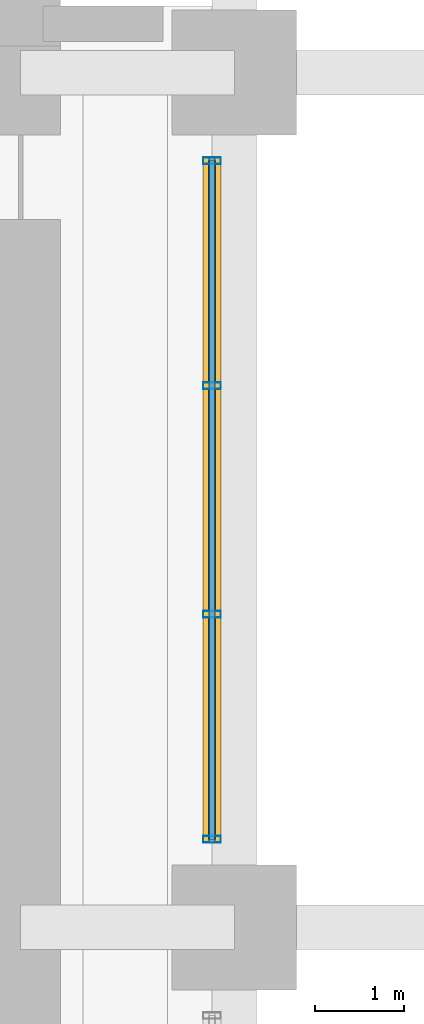
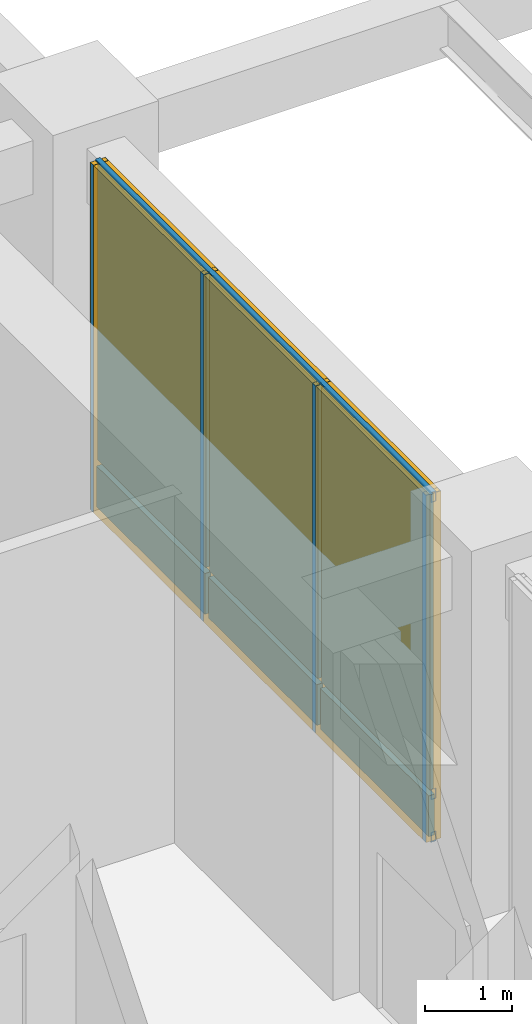
# One storey, part 12 of 22: 7 members, 6 plates, 1 curtain wall.
"""IFC4 building model written with IfcOpenShell, lengths in metres."""

from ifc_helpers import new_model, si_unit, direction, frame, frame_2d, origin, origin_2d, place, context, subcontext, project, spatial, rectangle, hollow_rectangle, extrude, material, layer, layer_set, material_profile, profile_set, type_object, element, aggregate, save


model = new_model("IFC4")

# Units and contexts
model_context = context("Model", 3, precision=1e-05, world=origin(), true_north=direction((0.0, 1.0)))
body_context = subcontext(model_context, "Body", "Model", "MODEL_VIEW")
ifc_project = project(units=[si_unit("LENGTHUNIT", "METRE"), si_unit("AREAUNIT", "SQUARE_METRE"), si_unit("VOLUMEUNIT", "CUBIC_METRE"), si_unit("PLANEANGLEUNIT", "RADIAN"), si_unit("MASSUNIT", "GRAM", prefix="KILO")], contexts=[model_context])

# Member
ifc_material_1 = material(Name="Anodized Aluminium 6063-T6", Category="aluminium")
ifc_material_profile_1 = material_profile(ifc_material_1, hollow_rectangle(XDim=0.074951171875, YDim=0.199951171875, WallThickness=0.00390625, at=origin_2d()), Name="Anodized Aluminium 6063-T6")
ifc_profile_set_1 = profile_set([ifc_material_profile_1], Name="Anodized Aluminium 6063-T6")
member_type_1 = type_object("IfcMemberType", Name="Curtain Wall Mullion 200", PredefinedType="MULLION", material=ifc_profile_set_1)
site_placement = place(None, origin())
building_placement = place(site_placement, origin())
storey_placement = place(building_placement, frame((0.0, 0.0, 5.199951171875)))
member_1_placement = place(storey_placement, frame((18.949951171875, 38.639892578125, 0.0), z_axis=(0.0, 0.0, 1.0), x_axis=(0.0, 1.0, 0.0)))
member_1 = element("IfcMember", 1, at=member_1_placement, type_object=member_type_1, Name="Curtain Wall Mullion CW-L01-LOB-S4-M01", PredefinedType="MULLION", context=body_context, shape_type="SweptSolid", body=[
    extrude(hollow_rectangle(XDim=0.074951171875, YDim=0.199951171875, WallThickness=0.00390625, at=origin_2d()), origin(), (0.0, 0.0, 1.0), 4.860107421875),
])

member_2_placement = place(storey_placement, frame((18.949951171875, 41.166748046875, 0.0), z_axis=(0.0, 0.0, 1.0), x_axis=(0.0, 1.0, 0.0)))
member_2 = element("IfcMember", 2, at=member_2_placement, type_object=member_type_1, Name="Curtain Wall Mullion CW-L01-LOB-S4-M02", PredefinedType="MULLION", context=body_context, shape_type="SweptSolid", body=[
    extrude(hollow_rectangle(XDim=0.074951171875, YDim=0.199951171875, WallThickness=0.00390625, at=origin_2d()), origin(), (0.0, 0.0, 1.0), 4.860107421875),
])

member_3_placement = place(storey_placement, frame((18.949951171875, 43.7333984375, 0.0), z_axis=(0.0, 0.0, 1.0), x_axis=(0.0, 1.0, 0.0)))
member_3 = element("IfcMember", 3, at=member_3_placement, type_object=member_type_1, Name="Curtain Wall Mullion CW-L01-LOB-S4-M03", PredefinedType="MULLION", context=body_context, shape_type="SweptSolid", body=[
    extrude(hollow_rectangle(XDim=0.074951171875, YDim=0.199951171875, WallThickness=0.00390625, at=origin_2d()), origin(), (0.0, 0.0, 1.0), 4.860107421875),
])

member_4_placement = place(storey_placement, frame((18.949951171875, 46.260009765625, 0.0), z_axis=(0.0, 0.0, 1.0), x_axis=(0.0, 1.0, 0.0)))
member_4 = element("IfcMember", 4, at=member_4_placement, type_object=member_type_1, Name="Curtain Wall Mullion CW-L01-LOB-S4-M04", PredefinedType="MULLION", context=body_context, shape_type="SweptSolid", body=[
    extrude(hollow_rectangle(XDim=0.074951171875, YDim=0.199951171875, WallThickness=0.00390625, at=origin_2d()), origin(), (0.0, 0.0, 1.0), 4.860107421875),
])

ifc_material_profile_2 = material_profile(ifc_material_1, hollow_rectangle(XDim=0.06494140625, YDim=0.139892578125, WallThickness=0.00341796875, at=origin_2d()), Name="Anodized Aluminium 6063-T6")
ifc_profile_set_2 = profile_set([ifc_material_profile_2], Name="Anodized Aluminium 6063-T6")
member_type_2 = type_object("IfcMemberType", Name="Curtain Wall Transom 140", PredefinedType="USERDEFINED", material=ifc_profile_set_2)
member_5_placement = place(storey_placement, frame((18.949951171875, 38.60009765625, 0.050048828125), z_axis=(0.0, 1.0, 0.0), x_axis=(-1.0, 0.0, 0.0)))
member_5 = element("IfcMember", 5, at=member_5_placement, type_object=member_type_2, Name="Curtain Wall Transom CW-L01-LOB-S4-T01", ObjectType="TRANSOM", PredefinedType="USERDEFINED", context=body_context, shape_type="SweptSolid", body=[
    extrude(hollow_rectangle(XDim=0.06494140625, YDim=0.139892578125, WallThickness=0.00341796875, at=origin_2d()), origin(), (0.0, 0.0, 1.0), 7.699951171875),
])

member_6_placement = place(storey_placement, frame((18.949951171875, 38.60009765625, 0.650146484375), z_axis=(0.0, 1.0, 0.0), x_axis=(-1.0, 0.0, 0.0)))
member_6 = element("IfcMember", 6, at=member_6_placement, type_object=member_type_2, Name="Curtain Wall Transom CW-L01-LOB-S4-T02", ObjectType="TRANSOM", PredefinedType="USERDEFINED", context=body_context, shape_type="SweptSolid", body=[
    extrude(hollow_rectangle(XDim=0.06494140625, YDim=0.139892578125, WallThickness=0.00341796875, at=origin_2d()), origin(), (0.0, 0.0, 1.0), 7.699951171875),
])

member_7_placement = place(storey_placement, frame((18.949951171875, 38.60009765625, 4.81005859375), z_axis=(0.0, 1.0, 0.0), x_axis=(-1.0, 0.0, 0.0)))
member_7 = element("IfcMember", 7, at=member_7_placement, type_object=member_type_2, Name="Curtain Wall Transom CW-L01-LOB-S4-T03", ObjectType="TRANSOM", PredefinedType="USERDEFINED", context=body_context, shape_type="SweptSolid", body=[
    extrude(hollow_rectangle(XDim=0.06494140625, YDim=0.139892578125, WallThickness=0.00341796875, at=origin_2d()), origin(), (0.0, 0.0, 1.0), 7.699951171875),
])

# Plate
ifc_material_2 = material(Name="Bird-Friendly Fritted Triple Glazing", Category="glass")
ifc_layer_1 = layer(ifc_material_2, 0.052001953125, Name="Bird-Friendly Fritted Triple Glazing")
ifc_layer_set_1 = layer_set([ifc_layer_1], Name="Bird-Friendly Fritted Triple Glazing")
plate_type_1 = type_object("IfcPlateType", Name="Plate CWGlazing 52", PredefinedType="CURTAIN_PANEL", material=ifc_layer_set_1)
plate_1_placement = place(storey_placement, frame((18.949951171875, 39.88330078125, 0.690185546875), z_axis=(0.0, 0.0, 1.0), x_axis=(0.0, 1.0, 0.0)))
plate_1 = element("IfcPlate", 8, at=plate_1_placement, type_object=plate_type_1, Name="Vision Glazing Panel CW-L01-LOB-S4-GL01", PredefinedType="CURTAIN_PANEL", context=body_context, shape_type="SweptSolid", body=[
    extrude(rectangle(XDim=2.48681640625, YDim=0.052001953125, at=origin_2d()), origin(), (0.0, 0.0, 1.0), 4.1298828125),
])

plate_2_placement = place(storey_placement, frame((18.949951171875, 42.449951171875, 0.690185546875), z_axis=(0.0, 0.0, 1.0), x_axis=(0.0, 1.0, 0.0)))
plate_2 = element("IfcPlate", 9, at=plate_2_placement, type_object=plate_type_1, Name="Vision Glazing Panel CW-L01-LOB-S4-GL02", PredefinedType="CURTAIN_PANEL", context=body_context, shape_type="SweptSolid", body=[
    extrude(rectangle(XDim=2.48681640625, YDim=0.052001953125, at=origin_2d()), origin(), (0.0, 0.0, 1.0), 4.1298828125),
])

plate_3_placement = place(storey_placement, frame((18.949951171875, 45.0166015625, 0.690185546875), z_axis=(0.0, 0.0, 1.0), x_axis=(0.0, 1.0, 0.0)))
plate_3 = element("IfcPlate", 10, at=plate_3_placement, type_object=plate_type_1, Name="Vision Glazing Panel CW-L01-LOB-S4-GL03", PredefinedType="CURTAIN_PANEL", context=body_context, shape_type="SweptSolid", body=[
    extrude(rectangle(XDim=2.48681640625, YDim=0.052001953125, at=origin_2d()), origin(), (0.0, 0.0, 1.0), 4.1298828125),
])

ifc_material_3 = material(Name="Insulated Aluminium Spandrel Panel", Category="aluminium")
ifc_layer_2 = layer(ifc_material_3, 0.080078125, Name="Insulated Aluminium Spandrel Panel")
ifc_layer_set_2 = layer_set([ifc_layer_2], Name="Insulated Aluminium Spandrel Panel")
plate_type_2 = type_object("IfcPlateType", Name="Plate CWSpandrel 80", PredefinedType="SHEET", material=ifc_layer_set_2)
plate_4_placement = place(storey_placement, frame((18.949951171875, 39.88330078125, 0.0400390625), z_axis=(0.0, 0.0, 1.0), x_axis=(0.0, 1.0, 0.0)))
plate_4 = element("IfcPlate", 11, at=plate_4_placement, type_object=plate_type_2, Name="Spandrel Panel CW-L01-LOB-S4-SP01", PredefinedType="SHEET", context=body_context, shape_type="SweptSolid", body=[
    extrude(rectangle(XDim=2.48681640625, YDim=0.080078125, at=origin_2d()), origin(), (0.0, 0.0, 1.0), 0.570068359375),
])

plate_5_placement = place(storey_placement, frame((18.949951171875, 42.449951171875, 0.0400390625), z_axis=(0.0, 0.0, 1.0), x_axis=(0.0, 1.0, 0.0)))
plate_5 = element("IfcPlate", 12, at=plate_5_placement, type_object=plate_type_2, Name="Spandrel Panel CW-L01-LOB-S4-SP02", PredefinedType="SHEET", context=body_context, shape_type="SweptSolid", body=[
    extrude(rectangle(XDim=2.48681640625, YDim=0.080078125, at=origin_2d()), origin(), (0.0, 0.0, 1.0), 0.570068359375),
])

plate_6_placement = place(storey_placement, frame((18.949951171875, 45.0166015625, 0.0400390625), z_axis=(0.0, 0.0, 1.0), x_axis=(0.0, 1.0, 0.0)))
plate_6 = element("IfcPlate", 13, at=plate_6_placement, type_object=plate_type_2, Name="Spandrel Panel CW-L01-LOB-S4-SP03", PredefinedType="SHEET", context=body_context, shape_type="SweptSolid", body=[
    extrude(rectangle(XDim=2.48681640625, YDim=0.080078125, at=origin_2d()), origin(), (0.0, 0.0, 1.0), 0.570068359375),
])

# Site, building, storey
site = spatial("IfcSite", under=ifc_project, at=site_placement, CompositionType="ELEMENT")
building = spatial("IfcBuilding", under=site, at=building_placement, Name="Norrvale University Quadrangle", CompositionType="ELEMENT")
storey = spatial("IfcBuildingStorey", under=building, at=storey_placement, Name="L01", CompositionType="ELEMENT", Elevation=5.199951171875)

# Curtain wall
ifc_material_4 = material(Name="Anodized Aluminium and Triple Glazing", Category="glass")
curtain_wall_type = type_object("IfcCurtainWallType", Name="Curtain Wall System 1 Pilotis Lobby", PredefinedType="NOTDEFINED", material=ifc_material_4)
curtain_wall_placement = place(storey_placement, frame((18.949951171875, 38.60009765625, 0.0), z_axis=(0.0, 0.0, 1.0), x_axis=(0.0, 1.0, 0.0)))
curtain_wall = element("IfcCurtainWall", 14, at=curtain_wall_placement, inside=storey, type_object=curtain_wall_type, Name="Curtain Wall CW System 1 Pilotis Lobby CW-L01-LOB-S4", PredefinedType="NOTDEFINED", context=body_context, shape_type="SweptSolid", body=[
    extrude(rectangle(XDim=7.699951171875, YDim=0.199951171875, at=frame_2d((3.85009765625, 0.0))), origin(), (0.0, 0.0, 1.0), 4.860107421875),
])

aggregate(curtain_wall, [member_1, member_2, member_3, member_4, member_5, member_6, member_7, plate_4, plate_1, plate_5, plate_2, plate_6, plate_3])

save(model, "model.ifc")
